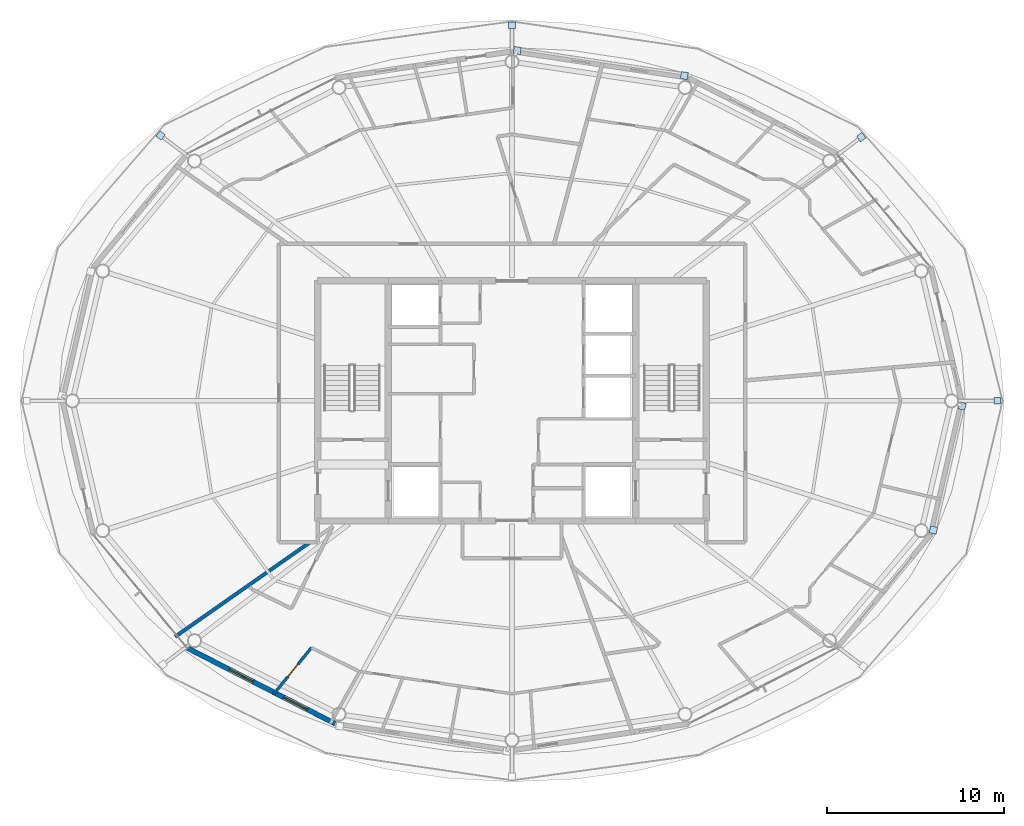
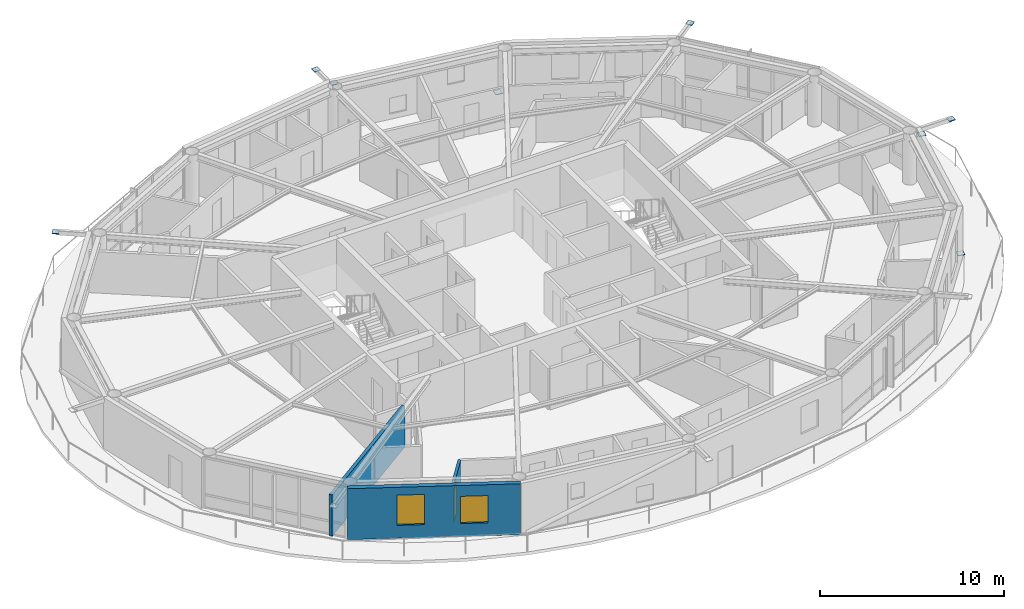
# One storey, part 15 of 23: 8 plates, 3 walls, 2 windows, 1 door, 3 openings.
"""IFC4 building model written with IfcOpenShell, lengths in metres."""

from ifc_helpers import new_model, si_unit, direction, frame, frame_2d, origin, origin_2d, place, context, subcontext, project, spatial, rectangle, extrude, material, layer, layer_set, type_object, element, fill, save


model = new_model("IFC4")

# Units and contexts
model_context = context("Model", 3, precision=1e-05, world=origin(), true_north=direction((0.0, 1.0)))
body_context = subcontext(model_context, "Body", "Model", "MODEL_VIEW")
ifc_project = project(units=[si_unit("LENGTHUNIT", "METRE"), si_unit("AREAUNIT", "SQUARE_METRE"), si_unit("VOLUMEUNIT", "CUBIC_METRE"), si_unit("PLANEANGLEUNIT", "RADIAN"), si_unit("MASSUNIT", "GRAM", prefix="KILO")], contexts=[model_context])

# Site, building, storey
site_placement = place(None, origin())
site = spatial("IfcSite", under=ifc_project, at=site_placement, CompositionType="ELEMENT")
building_placement = place(site_placement, origin())
building = spatial("IfcBuilding", under=site, at=building_placement, Name="Sarneth Arch Tower", CompositionType="ELEMENT")
storey_placement = place(building_placement, frame((0.0, 0.0, 280.199951171875)))
storey = spatial("IfcBuildingStorey", under=building, at=storey_placement, Name="L72", CompositionType="ELEMENT", Elevation=280.199951171875)

# Plates
ifc_material_1 = material(Name="Steel S355", Category="steel")
ifc_layer_1 = layer(ifc_material_1, 0.035888671875)
ifc_layer_set_1 = layer_set([ifc_layer_1], Name="Steel S355")
plate_type = type_object("IfcPlateType", Name="PLT-GUSSET-30", PredefinedType="SHEET", material=ifc_layer_set_1)
for number, where, z_axis, x_axis, name in (
    (1, (75.47265625, 42.0, 3.19189453125), (0.0, 0.0, 1.0), (1.0, 0.0, 0.0), "Steel end cap plate GP-1"),
    (2, (67.77001953125, 56.93212890625, 3.19189453125), (0.0, 0.0, 1.0), (0.798004853043, 0.602651022168, 0.0), "Steel end cap plate GP-1"),
):
    element("IfcPlate", number, at=place(storey_placement, frame(where, z_axis=z_axis, x_axis=x_axis)), inside=storey, type_object=plate_type, Name=name, PredefinedType="SHEET", context=body_context, shape_type="SweptSolid", body=[
        extrude(rectangle(XDim=0.3798828125, YDim=0.3798828125, at=origin_2d()), origin(), (0.0, 0.0, 1.0), 0.035888671875),
    ])
for number, where, z_axis, x_axis, name in (
    (3, (57.754150390625, 60.411376953125, 0.001953125), (0.0, 0.0, 1.0), (-0.988860535448, 0.148845024885, 0.0), "Steel end cap plate GP-1"),
    (4, (48.296630859375, 61.83544921875, 3.07421875), (0.0, 0.0, 1.0), (-0.988860535448, 0.148845024885, 0.0), "Steel end cap plate GP-1"),
):
    element("IfcPlate", number, at=place(storey_placement, frame(where, z_axis=z_axis, x_axis=x_axis)), inside=storey, type_object=plate_type, Name=name, PredefinedType="SHEET", context=body_context, shape_type="SweptSolid", body=[
        extrude(rectangle(XDim=0.404052734375, YDim=0.404052734375, at=origin_2d()), origin(), (0.0, 0.0, 1.0), 0.035888671875),
    ])
for number, where, z_axis, x_axis, name in (
    (5, (48.0, 63.2607421875, 3.19189453125), (0.0, 0.0, 1.0), (0.0, 1.0, 0.0), "Steel end cap plate GP-1"),
    (6, (28.109130859375, 57.0234375, 3.19189453125), (0.0, 0.0, 1.0), (-0.798004853043, 0.602651022168, 0.0), "Steel end cap plate GP-1"),
):
    element("IfcPlate", number, at=place(storey_placement, frame(where, z_axis=z_axis, x_axis=x_axis)), inside=storey, type_object=plate_type, Name=name, PredefinedType="SHEET", context=body_context, shape_type="SweptSolid", body=[
        extrude(rectangle(XDim=0.3798828125, YDim=0.3798828125, at=origin_2d()), origin(), (0.0, 0.0, 1.0), 0.035888671875),
    ])
for number, where, z_axis, x_axis, name in (
    (7, (71.851806640625, 34.6845703125, 0.001953125), (0.0, 0.0, 1.0), (0.225461202458, 0.974252147129, 0.0), "Steel end cap plate GP-1"),
    (8, (73.4765625, 41.707763671875, 3.07421875), (0.0, 0.0, 1.0), (0.225461202458, 0.974252147129, 0.0), "Steel end cap plate GP-1"),
):
    element("IfcPlate", number, at=place(storey_placement, frame(where, z_axis=z_axis, x_axis=x_axis)), inside=storey, type_object=plate_type, Name=name, PredefinedType="SHEET", context=body_context, shape_type="SweptSolid", body=[
        extrude(rectangle(XDim=0.404052734375, YDim=0.404052734375, at=origin_2d()), origin(), (0.0, 0.0, 1.0), 0.035888671875),
    ])

# Wall, openings, windows
ifc_material_2 = material(Name="Extruded terracotta rainscreen on Concrete C40/50 backing", Category="masonry")
ifc_layer_2 = layer(ifc_material_2, 0.280029296875)
ifc_layer_set_2 = layer_set([ifc_layer_2], Name="Extruded terracotta rainscreen on Concrete C40/50 backing")
wall_type_1 = type_object("IfcWallType", Name="WALL-EXT-TERRA-280", PredefinedType="SOLIDWALL", material=ifc_layer_set_2)
wall_1_placement = place(storey_placement, frame((29.617431640625, 28.013427734375, 0.0), z_axis=(0.0, 0.0, 1.0), x_axis=(0.890007394051, -0.455946091699, 0.0)))
wall_1 = element("IfcWall", 9, at=wall_1_placement, inside=storey, type_object=wall_type_1, Name="L72 Terracotta perimeter wall 11", PredefinedType="SOLIDWALL", context=body_context, shape_type="SweptSolid", body=[
    extrude(rectangle(XDim=9.404296875, YDim=0.280029296875, at=frame_2d((4.7021484375, 0.0))), origin(), (0.0, 0.0, 1.0), 3.3701171875),
])
opening_1_placement = place(wall_1_placement, frame((2.68359375, 0.0, 0.85009765625)))
opening_1 = element("IfcOpeningElement", 10, at=opening_1_placement, cuts=wall_1, Name="Opening W-06", PredefinedType="OPENING", context=body_context, shape_type="SweptSolid", body=[
    extrude(rectangle(XDim=1.5, YDim=2.0, at=frame_2d((0.75, 1.0))), frame((0.0, 0.14990234375, 0.0), z_axis=(0.0, -1.0, 0.0), x_axis=(1.0, 0.0, 0.0)), (0.0, 0.0, 1.0), 0.300048828125),
])
opening_2_placement = place(wall_1_placement, frame((6.12451171875, 0.0, 0.85009765625)))
opening_2 = element("IfcOpeningElement", 11, at=opening_2_placement, cuts=wall_1, Name="Opening W-07", PredefinedType="OPENING", context=body_context, shape_type="SweptSolid", body=[
    extrude(rectangle(XDim=1.5, YDim=1.800048828125, at=frame_2d((0.75, 0.89990234375))), frame((0.0, 0.14990234375, 0.0), z_axis=(0.0, -1.0, 0.0), x_axis=(1.0, 0.0, 0.0)), (0.0, 0.0, 1.0), 0.300048828125),
])
ifc_material_3 = material(Name="Thermally broken Aluminium 6063-T6 and low-e laminated IGU", Category="aluminium")
window_type_1 = type_object("IfcWindowType", Name="WIN-TWR-1500x1800", PartitioningType="SINGLE_PANEL", PredefinedType="WINDOW", material=ifc_material_3)
window_1_placement = place(opening_2_placement, origin())
window_1 = element("IfcWindow", 12, at=window_1_placement, inside=storey, type_object=window_type_1, Name="L72 Exterior window 11B", OverallHeight=1.800048828125, OverallWidth=1.5, PartitioningType="SINGLE_PANEL", PredefinedType="WINDOW", context=body_context, shape_type="SweptSolid", body=[
    extrude(rectangle(XDim=1.5, YDim=1.800048828125, at=frame_2d((0.75, 0.89990234375))), frame((0.0, 0.030029296875, 0.0), z_axis=(0.0, -1.0, 0.0), x_axis=(1.0, 0.0, 0.0)), (0.0, 0.0, 1.0), 0.06005859375),
])
fill(opening_2, window_1)
ifc_material_4 = material(Name="Thermally broken Aluminium 6063-T6 and low-e laminated IGU", Category="aluminium")
window_type_2 = type_object("IfcWindowType", Name="WIN-TWR-1500x2000", PartitioningType="SINGLE_PANEL", PredefinedType="WINDOW", material=ifc_material_4)
window_2_placement = place(opening_1_placement, origin())
window_2 = element("IfcWindow", 13, at=window_2_placement, inside=storey, type_object=window_type_2, Name="L72 Exterior window 11A", OverallHeight=2.0, OverallWidth=1.5, PartitioningType="SINGLE_PANEL", PredefinedType="WINDOW", context=body_context, shape_type="SweptSolid", body=[
    extrude(rectangle(XDim=1.5, YDim=2.0, at=frame_2d((0.75, 1.0))), frame((0.0, 0.030029296875, 0.0), z_axis=(0.0, -1.0, 0.0), x_axis=(1.0, 0.0, 0.0)), (0.0, 0.0, 1.0), 0.06005859375),
])
fill(opening_1, window_2)

# Wall, opening, door
ifc_material_5 = material(Name="Kitchen wet service chase wall", Category="gypsum")
ifc_layer_3 = layer(ifc_material_5, 0.159912109375)
ifc_layer_set_3 = layer_set([ifc_layer_3], Name="Kitchen wet service chase wall")
wall_type_2 = type_object("IfcWallType", Name="WALL-PLUMB-160", PredefinedType="PLUMBINGWALL", material=ifc_layer_set_3)
wall_2_placement = place(storey_placement, frame((36.64306640625, 28.0244140625, 0.0), z_axis=(0.0, 0.0, 1.0), x_axis=(-0.630641219738, -0.776074514442, 0.0)))
wall_2 = element("IfcWall", 14, at=wall_2_placement, inside=storey, type_object=wall_type_2, Name="L72 Interior partition W-L72-TP-065", PredefinedType="PLUMBINGWALL", context=body_context, shape_type="SweptSolid", body=[
    extrude(rectangle(XDim=3.404541015625, YDim=0.159912109375, at=frame_2d((1.7021484375, 0.0))), origin(), (0.0, 0.0, 1.0), 2.72998046875),
])
opening_3_placement = place(wall_2_placement, frame((1.192138671875, 0.0, 0.0)))
opening_3 = element("IfcOpeningElement", 15, at=opening_3_placement, cuts=wall_2, Name="Opening ID-01", PredefinedType="OPENING", context=body_context, shape_type="SweptSolid", body=[
    extrude(rectangle(XDim=0.89990234375, YDim=2.10009765625, at=frame_2d((0.449951171875, 1.050048828125))), frame((0.0, 0.08984375, 0.0), z_axis=(0.0, -1.0, 0.0), x_axis=(1.0, 0.0, 0.0)), (0.0, 0.0, 1.0), 0.179931640625),
])
ifc_material_6 = material(Name="Engineered hardwood flush door", Category="wood")
door_type = type_object("IfcDoorType", Name="DR-INT-900", OperationType="SINGLE_SWING_LEFT", PredefinedType="DOOR", material=ifc_material_6)
door_placement = place(opening_3_placement, origin())
door = element("IfcDoor", 16, at=door_placement, inside=storey, type_object=door_type, Name="L72 Interior door DR-L72-U4-KIT", OperationType="SINGLE_SWING_RIGHT", OverallHeight=2.10009765625, OverallWidth=0.89990234375, PredefinedType="DOOR", context=body_context, shape_type="SweptSolid", body=[
    extrude(rectangle(XDim=0.89990234375, YDim=2.10009765625, at=frame_2d((0.449951171875, 1.050048828125))), frame((0.0, 0.02490234375, 0.0), z_axis=(0.0, -1.0, 0.0), x_axis=(1.0, 0.0, 0.0)), (0.0, 0.0, 1.0), 0.050048828125),
])
fill(opening_3, door)

# Wall
ifc_material_7 = material(Name="Double steel-stud acoustic drywall", Category="steel")
ifc_layer_4 = layer(ifc_material_7, 0.199951171875)
ifc_layer_set_4 = layer_set([ifc_layer_4], Name="Double steel-stud acoustic drywall")
wall_type_3 = type_object("IfcWallType", Name="WALL-UNIT-200", PredefinedType="PARTITIONING", material=ifc_layer_set_4)
wall_3_placement = place(storey_placement, frame((36.57470703125, 34.0, 0.0), z_axis=(0.0, 0.0, 1.0), x_axis=(-0.819138444565, -0.57359585828, 0.0)))
element("IfcWall", 17, at=wall_3_placement, inside=storey, type_object=wall_type_3, Name="L72 Interior partition W-L72-TP-061", PredefinedType="PARTITIONING", context=body_context, shape_type="SweptSolid", body=[
    extrude(rectangle(XDim=9.326416015625, YDim=0.199951171875, at=frame_2d((4.6630859375, 0.0))), origin(), (0.0, 0.0, 1.0), 2.72998046875),
])

save(model, "model.ifc")
